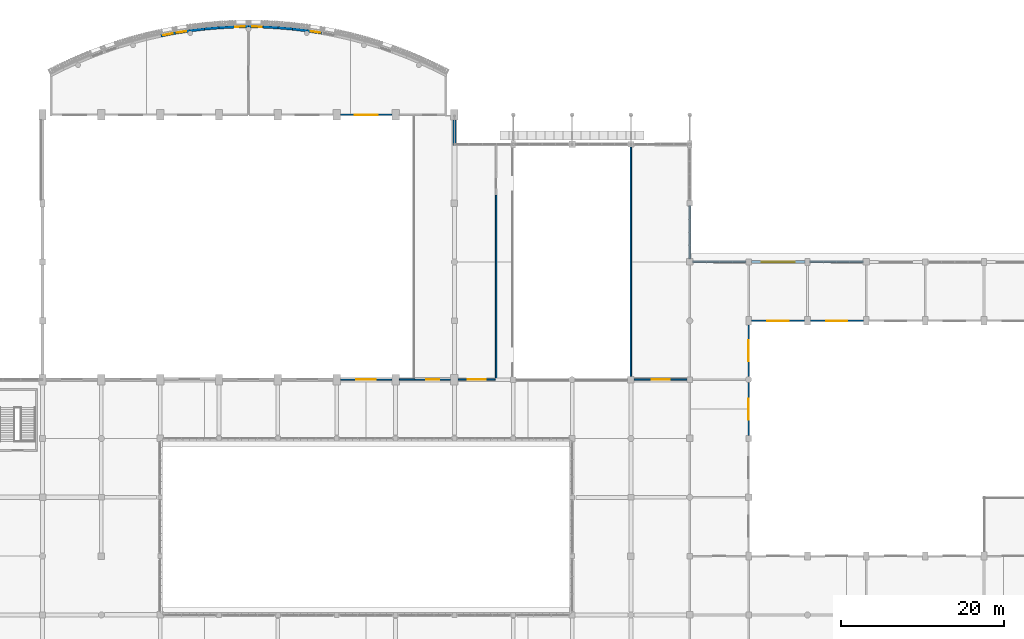
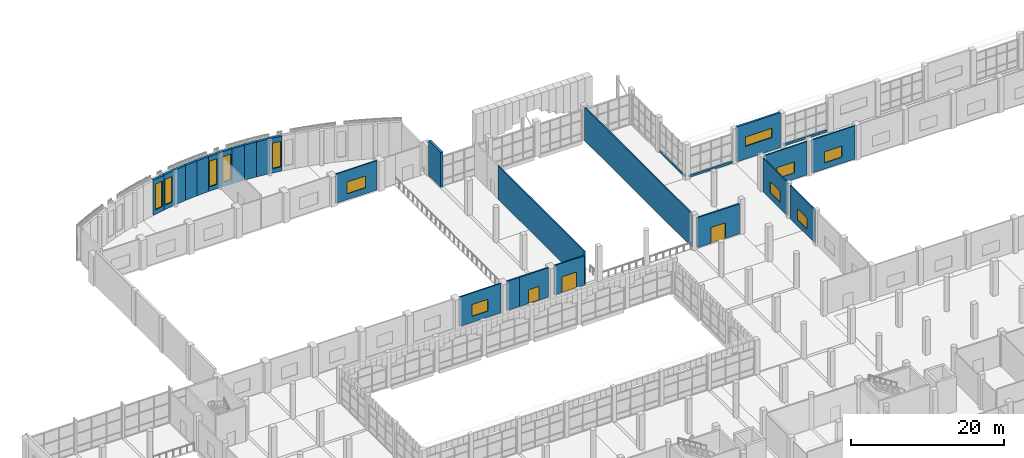
# One storey, part 57 of 80: 28 walls, 12 windows, 3 doors, 15 openings.
"""IFC4 building model written with IfcOpenShell, lengths in metres."""

from ifc_helpers import new_model, si_unit, direction, frame, frame_2d, origin, place, context, subcontext, project, spatial, polyline, rectangle, outline, extrude, material, layer, layer_set, type_object, element, fill, save


model = new_model("IFC4")

# Units and contexts
model_context = context("Model", 3, precision=1e-05, world=origin(), true_north=direction((0.0, 1.0)))
body_context = subcontext(model_context, "Body", "Model", "MODEL_VIEW")
ifc_project = project(units=[si_unit("LENGTHUNIT", "METRE"), si_unit("AREAUNIT", "SQUARE_METRE"), si_unit("VOLUMEUNIT", "CUBIC_METRE"), si_unit("PLANEANGLEUNIT", "RADIAN"), si_unit("MASSUNIT", "GRAM", prefix="KILO")], contexts=[model_context])

# Site, building, storey
site_placement = place(None, origin())
site = spatial("IfcSite", under=ifc_project, at=site_placement, CompositionType="ELEMENT")
building_placement = place(site_placement, origin())
building = spatial("IfcBuilding", under=site, at=building_placement, Name="Sardonyx Promenade Sports Hall", CompositionType="ELEMENT")
storey_placement = place(building_placement, frame((0.0, 0.0, 5.60009765625)))
storey = spatial("IfcBuildingStorey", under=building, at=storey_placement, Name="L01", CompositionType="ELEMENT", Elevation=5.60009765625)

# Wall, opening, window
ifc_material_1 = material(Name="Concrete C40/50", Category="concrete")
ifc_layer_1 = layer(ifc_material_1, 0.340087890625)
ifc_layer_set_1 = layer_set([ifc_layer_1], Name="Wall_Bow_Arc_340")
wall_type_1 = type_object("IfcWallType", Name="Wall_Bow_Arc_340", PredefinedType="SOLIDWALL", material=ifc_layer_set_1)
wall_1_placement = place(storey_placement, frame((43.27685546875, 114.082275390625, 0.0), z_axis=(0.0, 0.0, 1.0), x_axis=(0.981913462005, 0.189330275271, 0.0)))
wall_1 = element("IfcWall", 1, at=wall_1_placement, inside=storey, type_object=wall_type_1, Name="Bowed promenade wall EW07 L01 CH09", PredefinedType="SOLIDWALL", context=body_context, shape_type="SweptSolid", body=[
    extrude(outline(polyline([(0.002943, -0.17), (1.797057, -0.17), (1.802942, 0.17), (-0.002943, 0.17), (0.002943, -0.17)])), origin(), (0.0, 0.0, 1.0), 5.599853515625),
])
opening_1_placement = place(wall_1_placement, frame((0.31005859375, 0.0, 0.699951171875)))
opening_1 = element("IfcOpeningElement", 2, at=opening_1_placement, cuts=wall_1, Name="Opening W09", PredefinedType="OPENING", context=body_context, shape_type="SweptSolid", body=[
    extrude(rectangle(XDim=1.179931640625, YDim=4.10009765625, at=frame_2d((0.58984375, 2.050048828125))), frame((0.0, 0.18, 0.0), z_axis=(0.0, -1.0, 0.0), x_axis=(1.0, 0.0, 0.0)), (0.0, 0.0, 1.0), 0.36),
])
ifc_material_2 = material(Name="Double-glazed solar low-E aluminium window", Category="aluminium")
window_type_1 = type_object("IfcWindowType", Name="Win_Bow_Daylight", PartitioningType="SINGLE_PANEL", PredefinedType="WINDOW", material=ifc_material_2)
window_1_placement = place(opening_1_placement, origin())
window_1 = element("IfcWindow", 3, at=window_1_placement, inside=storey, type_object=window_type_1, Name="Harbour daylight bay window W09 L01 CH09", OverallHeight=4.10009765625, OverallWidth=1.179931640625, PartitioningType="SINGLE_PANEL", PredefinedType="WINDOW", context=body_context, shape_type="SweptSolid", body=[
    extrude(rectangle(XDim=1.179931640625, YDim=4.10009765625, at=frame_2d((0.58984375, 2.050048828125))), frame((0.0, 0.030029296875, 0.0), z_axis=(0.0, -1.0, 0.0), x_axis=(1.0, 0.0, 0.0)), (0.0, 0.0, 1.0), 0.06005859375),
])
fill(opening_1, window_1)

wall_2_placement = place(storey_placement, frame((45.04443359375, 114.423095703125, 0.0), z_axis=(0.0, 0.0, 1.0), x_axis=(0.987886929918, 0.155175428783, 0.0)))
wall_2 = element("IfcWall", 4, at=wall_2_placement, inside=storey, type_object=wall_type_1, Name="Bowed promenade wall EW07 L01 CH10", PredefinedType="SOLIDWALL", context=body_context, shape_type="SweptSolid", body=[
    extrude(outline(polyline([(0.002943, -0.17), (1.797058, -0.17), (1.802943, 0.17), (-0.002943, 0.17), (0.002943, -0.17)])), origin(), (0.0, 0.0, 1.0), 5.599853515625),
])
opening_2_placement = place(wall_2_placement, frame((0.159912109375, 0.0, 0.699951171875)))
opening_2 = element("IfcOpeningElement", 5, at=opening_2_placement, cuts=wall_2, Name="Opening W09", PredefinedType="OPENING", context=body_context, shape_type="SweptSolid", body=[
    extrude(rectangle(XDim=1.179931640625, YDim=4.10009765625, at=frame_2d((0.58984375, 2.050048828125))), frame((0.0, 0.18, 0.0), z_axis=(0.0, -1.0, 0.0), x_axis=(1.0, 0.0, 0.0)), (0.0, 0.0, 1.0), 0.36),
])
window_2_placement = place(opening_2_placement, origin())
window_2 = element("IfcWindow", 6, at=window_2_placement, inside=storey, type_object=window_type_1, Name="Harbour daylight bay window W09 L01 CH10", OverallHeight=4.10009765625, OverallWidth=1.179931640625, PartitioningType="SINGLE_PANEL", PredefinedType="WINDOW", context=body_context, shape_type="SweptSolid", body=[
    extrude(rectangle(XDim=1.179931640625, YDim=4.10009765625, at=frame_2d((0.58984375, 2.050048828125))), frame((0.0, 0.030029296875, 0.0), z_axis=(0.0, -1.0, 0.0), x_axis=(1.0, 0.0, 0.0)), (0.0, 0.0, 1.0), 0.06005859375),
])
fill(opening_2, window_2)

# Walls
wall_3_placement = place(storey_placement, frame((46.822509765625, 114.702392578125, 0.0), z_axis=(0.0, 0.0, 1.0), x_axis=(0.992671296073, 0.120845761006, 0.0)))
element("IfcWall", 7, at=wall_3_placement, inside=storey, type_object=wall_type_1, Name="Bowed promenade wall EW07 L01 CH11", PredefinedType="SOLIDWALL", context=body_context, shape_type="SweptSolid", body=[
    extrude(outline(polyline([(0.002943, -0.17), (1.797057, -0.17), (1.802942, 0.17), (-0.002943, 0.17), (0.002943, -0.17)])), origin(), (0.0, 0.0, 1.0), 5.599853515625),
])
wall_4_placement = place(storey_placement, frame((48.609375, 114.919921875, 0.0), z_axis=(0.0, 0.0, 1.0), x_axis=(0.996260411494, 0.086401345422, 0.0)))
element("IfcWall", 8, at=wall_4_placement, inside=storey, type_object=wall_type_1, Name="Bowed promenade wall EW07 L01 CH12", PredefinedType="SOLIDWALL", context=body_context, shape_type="SweptSolid", body=[
    extrude(outline(polyline([(0.002943, -0.17), (1.797058, -0.17), (1.802943, 0.17), (-0.002943, 0.17), (0.002943, -0.17)])), origin(), (0.0, 0.0, 1.0), 5.599853515625),
])
wall_5_placement = place(storey_placement, frame((50.402587890625, 115.075439453125, 0.0), z_axis=(0.0, 0.0, 1.0), x_axis=(0.998649863362, 0.051946611119, 0.0)))
element("IfcWall", 9, at=wall_5_placement, inside=storey, type_object=wall_type_1, Name="Bowed promenade wall EW07 L01 CH13", PredefinedType="SOLIDWALL", context=body_context, shape_type="SweptSolid", body=[
    extrude(outline(polyline([(0.002943, -0.17), (1.797057, -0.17), (1.802943, 0.17), (-0.002943, 0.17), (0.002943, -0.17)])), origin(), (0.0, 0.0, 1.0), 5.599853515625),
])

# Wall, opening, window
wall_6_placement = place(storey_placement, frame((52.2001953125, 115.1689453125, 0.0), z_axis=(0.0, 0.0, 1.0), x_axis=(0.999851642284, 0.017224790907, 0.0)))
wall_6 = element("IfcWall", 10, at=wall_6_placement, inside=storey, type_object=wall_type_1, Name="Bowed promenade wall EW07 L01 CH14", PredefinedType="SOLIDWALL", context=body_context, shape_type="SweptSolid", body=[
    extrude(outline(polyline([(0.002943, -0.17), (1.797057, -0.17), (1.802942, 0.17), (-0.002943, 0.17), (0.002943, -0.17)])), origin(), (0.0, 0.0, 1.0), 5.599853515625),
])
opening_3_placement = place(wall_6_placement, frame((0.159912109375, 0.0, 0.699951171875)))
opening_3 = element("IfcOpeningElement", 11, at=opening_3_placement, cuts=wall_6, Name="Opening W09", PredefinedType="OPENING", context=body_context, shape_type="SweptSolid", body=[
    extrude(rectangle(XDim=1.179931640625, YDim=4.10009765625, at=frame_2d((0.58984375, 2.050048828125))), frame((0.0, 0.18, 0.0), z_axis=(0.0, -1.0, 0.0), x_axis=(1.0, 0.0, 0.0)), (0.0, 0.0, 1.0), 0.36),
])
window_3_placement = place(opening_3_placement, origin())
window_3 = element("IfcWindow", 12, at=window_3_placement, inside=storey, type_object=window_type_1, Name="Harbour daylight bay window W09 L01 CH14", OverallHeight=4.10009765625, OverallWidth=1.179931640625, PartitioningType="SINGLE_PANEL", PredefinedType="WINDOW", context=body_context, shape_type="SweptSolid", body=[
    extrude(rectangle(XDim=1.179931640625, YDim=4.10009765625, at=frame_2d((0.58984375, 2.050048828125))), frame((0.0, 0.030029296875, 0.0), z_axis=(0.0, -1.0, 0.0), x_axis=(1.0, 0.0, 0.0)), (0.0, 0.0, 1.0), 0.06005859375),
])
fill(opening_3, window_3)

wall_7_placement = place(storey_placement, frame((54.0, 115.199951171875, 0.0), z_axis=(0.0, 0.0, 1.0), x_axis=(0.999851642284, -0.017224790907, 0.0)))
wall_7 = element("IfcWall", 13, at=wall_7_placement, inside=storey, type_object=wall_type_1, Name="Bowed promenade wall EW07 L01 CH15", PredefinedType="SOLIDWALL", context=body_context, shape_type="SweptSolid", body=[
    extrude(outline(polyline([(0.002943, -0.17), (1.797057, -0.17), (1.802942, 0.17), (-0.002943, 0.17), (0.002943, -0.17)])), origin(), (0.0, 0.0, 1.0), 5.599853515625),
])
opening_4_placement = place(wall_7_placement, frame((0.4599609375, 0.0, 0.699951171875)))
opening_4 = element("IfcOpeningElement", 14, at=opening_4_placement, cuts=wall_7, Name="Opening W09", PredefinedType="OPENING", context=body_context, shape_type="SweptSolid", body=[
    extrude(rectangle(XDim=1.179931640625, YDim=4.10009765625, at=frame_2d((0.58984375, 2.050048828125))), frame((0.0, 0.18, 0.0), z_axis=(0.0, -1.0, 0.0), x_axis=(1.0, 0.0, 0.0)), (0.0, 0.0, 1.0), 0.36),
])
window_4_placement = place(opening_4_placement, origin())
window_4 = element("IfcWindow", 15, at=window_4_placement, inside=storey, type_object=window_type_1, Name="Harbour daylight bay window W09 L01 CH15", OverallHeight=4.10009765625, OverallWidth=1.179931640625, PartitioningType="SINGLE_PANEL", PredefinedType="WINDOW", context=body_context, shape_type="SweptSolid", body=[
    extrude(rectangle(XDim=1.179931640625, YDim=4.10009765625, at=frame_2d((0.58984375, 2.050048828125))), frame((0.0, 0.030029296875, 0.0), z_axis=(0.0, -1.0, 0.0), x_axis=(1.0, 0.0, 0.0)), (0.0, 0.0, 1.0), 0.06005859375),
])
fill(opening_4, window_4)

# Walls
wall_8_placement = place(storey_placement, frame((55.7998046875, 115.1689453125, 0.0), z_axis=(0.0, 0.0, 1.0), x_axis=(0.998649863362, -0.051946611119, 0.0)))
element("IfcWall", 16, at=wall_8_placement, inside=storey, type_object=wall_type_1, Name="Bowed promenade wall EW07 L01 CH16", PredefinedType="SOLIDWALL", context=body_context, shape_type="SweptSolid", body=[
    extrude(outline(polyline([(0.002943, -0.17), (1.797057, -0.17), (1.802943, 0.17), (-0.002943, 0.17), (0.002943, -0.17)])), origin(), (0.0, 0.0, 1.0), 5.599853515625),
])
wall_9_placement = place(storey_placement, frame((57.597412109375, 115.075439453125, 0.0), z_axis=(0.0, 0.0, 1.0), x_axis=(0.996260411494, -0.086401345422, 0.0)))
element("IfcWall", 17, at=wall_9_placement, inside=storey, type_object=wall_type_1, Name="Bowed promenade wall EW07 L01 CH17", PredefinedType="SOLIDWALL", context=body_context, shape_type="SweptSolid", body=[
    extrude(outline(polyline([(0.002943, -0.17), (1.797058, -0.17), (1.802943, 0.17), (-0.002943, 0.17), (0.002943, -0.17)])), origin(), (0.0, 0.0, 1.0), 5.599853515625),
])
wall_10_placement = place(storey_placement, frame((59.390625, 114.919921875, 0.0), z_axis=(0.0, 0.0, 1.0), x_axis=(0.992671296073, -0.120845761006, 0.0)))
element("IfcWall", 18, at=wall_10_placement, inside=storey, type_object=wall_type_1, Name="Bowed promenade wall EW07 L01 CH18", PredefinedType="SOLIDWALL", context=body_context, shape_type="SweptSolid", body=[
    extrude(outline(polyline([(0.002943, -0.17), (1.797057, -0.17), (1.802942, 0.17), (-0.002943, 0.17), (0.002943, -0.17)])), origin(), (0.0, 0.0, 1.0), 5.599853515625),
])

# Wall, opening, window
wall_11_placement = place(storey_placement, frame((61.177490234375, 114.702392578125, 0.0), z_axis=(0.0, 0.0, 1.0), x_axis=(0.987886929918, -0.155175428783, 0.0)))
wall_11 = element("IfcWall", 19, at=wall_11_placement, inside=storey, type_object=wall_type_1, Name="Bowed promenade wall EW07 L01 CH19", PredefinedType="SOLIDWALL", context=body_context, shape_type="SweptSolid", body=[
    extrude(outline(polyline([(0.002943, -0.17), (1.797058, -0.17), (1.802943, 0.17), (-0.002943, 0.17), (0.002943, -0.17)])), origin(), (0.0, 0.0, 1.0), 5.599853515625),
])
opening_5_placement = place(wall_11_placement, frame((0.4599609375, 0.0, 0.699951171875)))
opening_5 = element("IfcOpeningElement", 20, at=opening_5_placement, cuts=wall_11, Name="Opening W09", PredefinedType="OPENING", context=body_context, shape_type="SweptSolid", body=[
    extrude(rectangle(XDim=1.179931640625, YDim=4.10009765625, at=frame_2d((0.58984375, 2.050048828125))), frame((0.0, 0.18, 0.0), z_axis=(0.0, -1.0, 0.0), x_axis=(1.0, 0.0, 0.0)), (0.0, 0.0, 1.0), 0.36),
])
window_5_placement = place(opening_5_placement, origin())
window_5 = element("IfcWindow", 21, at=window_5_placement, inside=storey, type_object=window_type_1, Name="Harbour daylight bay window W09 L01 CH19", OverallHeight=4.10009765625, OverallWidth=1.179931640625, PartitioningType="SINGLE_PANEL", PredefinedType="WINDOW", context=body_context, shape_type="SweptSolid", body=[
    extrude(rectangle(XDim=1.179931640625, YDim=4.10009765625, at=frame_2d((0.58984375, 2.050048828125))), frame((0.0, 0.030029296875, 0.0), z_axis=(0.0, -1.0, 0.0), x_axis=(1.0, 0.0, 0.0)), (0.0, 0.0, 1.0), 0.06005859375),
])
fill(opening_5, window_5)

ifc_material_3 = material(Name="Concrete C40/50", Category="concrete")
ifc_layer_2 = layer(ifc_material_3, 0.300048828125)
ifc_layer_set_2 = layer_set([ifc_layer_2], Name="Wall_Ext_Hall_300")
wall_type_2 = type_object("IfcWallType", Name="Wall_Ext_Hall_300", PredefinedType="SOLIDWALL", material=ifc_layer_set_2)
wall_12_placement = place(storey_placement, frame((115.534912109375, 86.39990234375, 0.0), z_axis=(0.0, 0.0, 1.0), x_axis=(1.0, 0.0, 0.0)))
wall_12 = element("IfcWall", 22, at=wall_12_placement, inside=storey, type_object=wall_type_2, Name="Exterior wall EW04 L01 #195", PredefinedType="SOLIDWALL", context=body_context, shape_type="SweptSolid", body=[
    extrude(rectangle(XDim=6.580078125, YDim=0.300048828125, at=frame_2d((3.2900390625, 0.0))), origin(), (0.0, 0.0, 1.0), 5.599853515625),
])
opening_6_placement = place(wall_12_placement, frame((1.2900390625, 0.0, 2.050048828125)))
opening_6 = element("IfcOpeningElement", 23, at=opening_6_placement, cuts=wall_12, Name="Opening W14", PredefinedType="OPENING", context=body_context, shape_type="SweptSolid", body=[
    extrude(rectangle(XDim=4.0, YDim=1.5, at=frame_2d((2.0, 0.75))), frame((0.0, 0.16, 0.0), z_axis=(0.0, -1.0, 0.0), x_axis=(1.0, 0.0, 0.0)), (0.0, 0.0, 1.0), 0.32),
])
ifc_material_4 = material(Name="Double-glazed solar low-E aluminium window", Category="aluminium")
window_type_2 = type_object("IfcWindowType", Name="Win_Clerestory_400x150", PartitioningType="DOUBLE_PANEL_VERTICAL", PredefinedType="WINDOW", material=ifc_material_4)
window_6_placement = place(opening_6_placement, origin())
window_6 = element("IfcWindow", 24, at=window_6_placement, inside=storey, type_object=window_type_2, Name="Facade window W14 L01 #76", OverallHeight=1.5, OverallWidth=4.0, PartitioningType="SINGLE_PANEL", PredefinedType="WINDOW", context=body_context, shape_type="SweptSolid", body=[
    extrude(rectangle(XDim=4.0, YDim=1.5, at=frame_2d((2.0, 0.75))), frame((0.0, 0.030029296875, 0.0), z_axis=(0.0, -1.0, 0.0), x_axis=(1.0, 0.0, 0.0)), (0.0, 0.0, 1.0), 0.06005859375),
])
fill(opening_6, window_6)

# Walls
ifc_material_5 = material(Name="Concrete C40/50", Category="concrete")
ifc_layer_3 = layer(ifc_material_5, 0.360107421875)
ifc_layer_set_3 = layer_set([ifc_layer_3], Name="Wall_Ext_Sandstone_360")
wall_type_3 = type_object("IfcWallType", Name="Wall_Ext_Sandstone_360", PredefinedType="SOLIDWALL", material=ifc_layer_set_3)
wall_13_placement = place(storey_placement, frame((79.199951171875, 103.764892578125, 0.0), z_axis=(0.0, 0.0, 1.0), x_axis=(0.0, -1.0, 0.0)))
element("IfcWall", 25, at=wall_13_placement, inside=storey, type_object=wall_type_3, Name="Exterior wall EW06 L01 #178", PredefinedType="SOLIDWALL", context=body_context, shape_type="SweptSolid", body=[
    extrude(rectangle(XDim=3.144775390625, YDim=0.360107421875, at=frame_2d((1.572265625, 0.0))), origin(), (0.0, 0.0, 1.0), 5.599853515625),
])
ifc_material_6 = material(Name="Masonry CMU 15 MPa", Category="masonry")
ifc_layer_4 = layer(ifc_material_6, 0.239990234375)
ifc_layer_set_4 = layer_set([ifc_layer_4], Name="Wall_Ext_Spandrel_240")
wall_type_4 = type_object("IfcWallType", Name="Wall_Ext_Spandrel_240", PredefinedType="SOLIDWALL", material=ifc_layer_set_4)
wall_14_placement = place(storey_placement, frame((108.0, 93.264892578125, 0.0), z_axis=(0.0, 0.0, 1.0), x_axis=(0.0, -1.0, 0.0)))
element("IfcWall", 26, at=wall_14_placement, inside=storey, type_object=wall_type_4, Name="Curtain-wall sill spandrel L01 #182", PredefinedType="SOLIDWALL", context=body_context, shape_type="SweptSolid", body=[
    extrude(rectangle(XDim=6.47998046875, YDim=0.239990234375, at=frame_2d((3.239990234375, 0.0))), origin(), (0.0, 0.0, 1.0), 0.2998046875),
])
wall_15_placement = place(storey_placement, frame((108.385009765625, 86.39990234375, 0.0), z_axis=(0.0, 0.0, 1.0), x_axis=(1.0, 0.0, 0.0)))
element("IfcWall", 27, at=wall_15_placement, inside=storey, type_object=wall_type_4, Name="Curtain-wall sill spandrel L01 #194", PredefinedType="SOLIDWALL", context=body_context, shape_type="SweptSolid", body=[
    extrude(rectangle(XDim=6.47998046875, YDim=0.239990234375, at=frame_2d((3.239990234375, 0.0))), origin(), (0.0, 0.0, 1.0), 0.349853515625),
])
wall_16_placement = place(storey_placement, frame((122.68505859375, 86.39990234375, 0.0), z_axis=(0.0, 0.0, 1.0), x_axis=(1.0, 0.0, 0.0)))
element("IfcWall", 28, at=wall_16_placement, inside=storey, type_object=wall_type_4, Name="Curtain-wall sill spandrel L01 #196", PredefinedType="SOLIDWALL", context=body_context, shape_type="SweptSolid", body=[
    extrude(rectangle(XDim=6.530029296875, YDim=0.239990234375, at=frame_2d((3.26513671875, 0.0))), origin(), (0.0, 0.0, 1.0), 0.349853515625),
])

# Wall, opening, window
ifc_material_7 = material(Name="Twin-stud acoustic gypsum partition", Category="gypsum")
ifc_layer_5 = layer(ifc_material_7, 0.169921875)
ifc_layer_set_5 = layer_set([ifc_layer_5], Name="Wall_Part_Acoust_170")
wall_type_5 = type_object("IfcWallType", Name="Wall_Part_Acoust_170", PredefinedType="PARTITIONING", material=ifc_layer_set_5)
wall_17_placement = place(storey_placement, frame((65.25, 104.39990234375, 0.0), z_axis=(0.0, 0.0, 1.0), x_axis=(1.0, 0.0, 0.0)))
wall_17 = element("IfcWall", 29, at=wall_17_placement, inside=storey, type_object=wall_type_5, Name="Interior partition PW06 L01 #391", PredefinedType="PARTITIONING", context=body_context, shape_type="SweptSolid", body=[
    extrude(rectangle(XDim=6.300048828125, YDim=0.169921875, at=frame_2d((3.14990234375, 0.0))), origin(), (0.0, 0.0, 1.0), 4.679931640625),
])
opening_7_placement = place(wall_17_placement, frame((1.75, 0.0, 0.949951171875)))
opening_7 = element("IfcOpeningElement", 30, at=opening_7_placement, cuts=wall_17, Name="Opening IW06", PredefinedType="OPENING", context=body_context, shape_type="SweptSolid", body=[
    extrude(rectangle(XDim=2.800048828125, YDim=1.89990234375, at=frame_2d((1.39990234375, 0.949951171875))), frame((0.0, 0.095, 0.0), z_axis=(0.0, -1.0, 0.0), x_axis=(1.0, 0.0, 0.0)), (0.0, 0.0, 1.0), 0.19),
])
ifc_material_8 = material(Name="Acoustic laminated sports viewing glazing EI 60", Category="glass")
window_type_3 = type_object("IfcWindowType", Name="IWin_Arena_280x190", PartitioningType="DOUBLE_PANEL_VERTICAL", PredefinedType="WINDOW", material=ifc_material_8)
window_7_placement = place(opening_7_placement, origin())
window_7 = element("IfcWindow", 31, at=window_7_placement, inside=storey, type_object=window_type_3, Name="Internal viewing window IW06 L01 #23", OverallHeight=1.89990234375, OverallWidth=2.800048828125, PartitioningType="SINGLE_PANEL", PredefinedType="WINDOW", context=body_context, shape_type="SweptSolid", body=[
    extrude(rectangle(XDim=2.800048828125, YDim=1.89990234375, at=frame_2d((1.39990234375, 0.949951171875))), frame((0.0, 0.030029296875, 0.0), z_axis=(0.0, -1.0, 0.0), x_axis=(1.0, 0.0, 0.0)), (0.0, 0.0, 1.0), 0.06005859375),
])
fill(opening_7, window_7)

wall_18_placement = place(storey_placement, frame((115.550048828125, 79.199951171875, 0.0), z_axis=(0.0, 0.0, 1.0), x_axis=(1.0, 0.0, 0.0)))
wall_18 = element("IfcWall", 32, at=wall_18_placement, inside=storey, type_object=wall_type_5, Name="Interior partition PW06 L01 #472", PredefinedType="PARTITIONING", context=body_context, shape_type="SweptSolid", body=[
    extrude(rectangle(XDim=6.5, YDim=0.169921875, at=frame_2d((3.25, 0.0))), origin(), (0.0, 0.0, 1.0), 5.31982421875),
])
opening_8_placement = place(wall_18_placement, frame((1.949951171875, 0.0, 1.0)))
opening_8 = element("IfcOpeningElement", 33, at=opening_8_placement, cuts=wall_18, Name="Opening IW07", PredefinedType="OPENING", context=body_context, shape_type="SweptSolid", body=[
    extrude(rectangle(XDim=2.60009765625, YDim=1.75, at=frame_2d((1.300048828125, 0.875))), frame((0.0, 0.095, 0.0), z_axis=(0.0, -1.0, 0.0), x_axis=(1.0, 0.0, 0.0)), (0.0, 0.0, 1.0), 0.19),
])
ifc_material_9 = material(Name="Acoustic laminated sports viewing glazing EI 60", Category="glass")
window_type_4 = type_object("IfcWindowType", Name="IWin_Prac_260x175", PartitioningType="DOUBLE_PANEL_VERTICAL", PredefinedType="WINDOW", material=ifc_material_9)
window_8_placement = place(opening_8_placement, origin())
window_8 = element("IfcWindow", 34, at=window_8_placement, inside=storey, type_object=window_type_4, Name="Internal viewing window IW07 L01 #60", OverallHeight=1.75, OverallWidth=2.60009765625, PartitioningType="SINGLE_PANEL", PredefinedType="WINDOW", context=body_context, shape_type="SweptSolid", body=[
    extrude(rectangle(XDim=2.60009765625, YDim=1.75, at=frame_2d((1.300048828125, 0.875))), frame((0.0, 0.030029296875, 0.0), z_axis=(0.0, -1.0, 0.0), x_axis=(1.0, 0.0, 0.0)), (0.0, 0.0, 1.0), 0.06005859375),
])
fill(opening_8, window_8)

wall_19_placement = place(storey_placement, frame((122.75, 79.199951171875, 0.0), z_axis=(0.0, 0.0, 1.0), x_axis=(1.0, 0.0, 0.0)))
wall_19 = element("IfcWall", 35, at=wall_19_placement, inside=storey, type_object=wall_type_5, Name="Interior partition PW06 L01 #474", PredefinedType="PARTITIONING", context=body_context, shape_type="SweptSolid", body=[
    extrude(rectangle(XDim=6.5, YDim=0.169921875, at=frame_2d((3.25, 0.0))), origin(), (0.0, 0.0, 1.0), 5.31982421875),
])
opening_9_placement = place(wall_19_placement, frame((1.949951171875, 0.0, 1.0)))
opening_9 = element("IfcOpeningElement", 36, at=opening_9_placement, cuts=wall_19, Name="Opening IW07", PredefinedType="OPENING", context=body_context, shape_type="SweptSolid", body=[
    extrude(rectangle(XDim=2.60009765625, YDim=1.75, at=frame_2d((1.300048828125, 0.875))), frame((0.0, 0.095, 0.0), z_axis=(0.0, -1.0, 0.0), x_axis=(1.0, 0.0, 0.0)), (0.0, 0.0, 1.0), 0.19),
])
window_9_placement = place(opening_9_placement, origin())
window_9 = element("IfcWindow", 37, at=window_9_placement, inside=storey, type_object=window_type_4, Name="Internal viewing window IW07 L01 #62", OverallHeight=1.75, OverallWidth=2.60009765625, PartitioningType="SINGLE_PANEL", PredefinedType="WINDOW", context=body_context, shape_type="SweptSolid", body=[
    extrude(rectangle(XDim=2.60009765625, YDim=1.75, at=frame_2d((1.300048828125, 0.875))), frame((0.0, 0.030029296875, 0.0), z_axis=(0.0, -1.0, 0.0), x_axis=(1.0, 0.0, 0.0)), (0.0, 0.0, 1.0), 0.06005859375),
])
fill(opening_9, window_9)

# Walls
ifc_material_10 = material(Name="Masonry CMU 15 MPa", Category="masonry")
ifc_layer_6 = layer(ifc_material_10, 0.18994140625)
ifc_layer_set_6 = layer_set([ifc_layer_6], Name="Wall_Part_Block_190")
wall_type_6 = type_object("IfcWallType", Name="Wall_Part_Block_190", PredefinedType="PARTITIONING", material=ifc_layer_set_6)
wall_20_placement = place(storey_placement, frame((84.300048828125, 72.0, 0.0), z_axis=(0.0, 0.0, 1.0), x_axis=(0.0, 1.0, 0.0)))
element("IfcWall", 38, at=wall_20_placement, inside=storey, type_object=wall_type_6, Name="Interior partition PW03 L01 #364", PredefinedType="PARTITIONING", context=body_context, shape_type="SweptSolid", body=[
    extrude(rectangle(XDim=22.60009765625, YDim=0.18994140625, at=frame_2d((11.300048828125, 0.0))), origin(), (0.0, 0.0, 1.0), 5.31982421875),
])
wall_21_placement = place(storey_placement, frame((100.800048828125, 72.39990234375, 0.0), z_axis=(0.0, 0.0, 1.0), x_axis=(0.0, 1.0, 0.0)))
element("IfcWall", 39, at=wall_21_placement, inside=storey, type_object=wall_type_6, Name="Interior partition PW03 L01 #367", PredefinedType="PARTITIONING", context=body_context, shape_type="SweptSolid", body=[
    extrude(rectangle(XDim=28.050048828125, YDim=0.18994140625, at=frame_2d((14.02490234375, 0.0))), origin(), (0.0, 0.0, 1.0), 5.31982421875),
])

# Wall, opening, window
wall_22_placement = place(storey_placement, frame((115.199951171875, 65.14990234375, 0.0), z_axis=(0.0, 0.0, 1.0), x_axis=(0.0, 1.0, 0.0)))
wall_22 = element("IfcWall", 40, at=wall_22_placement, inside=storey, type_object=wall_type_6, Name="Interior partition PW03 L01 #467", PredefinedType="PARTITIONING", context=body_context, shape_type="SweptSolid", body=[
    extrude(rectangle(XDim=6.47509765625, YDim=0.18994140625, at=frame_2d((3.237548828125, 0.0))), origin(), (0.0, 0.0, 1.0), 5.31982421875),
])
opening_10_placement = place(wall_22_placement, frame((1.9375, 0.0, 1.0)))
opening_10 = element("IfcOpeningElement", 41, at=opening_10_placement, cuts=wall_22, Name="Opening IW07", PredefinedType="OPENING", context=body_context, shape_type="SweptSolid", body=[
    extrude(rectangle(XDim=2.60009765625, YDim=1.75, at=frame_2d((1.300048828125, 0.875))), frame((0.0, 0.105, 0.0), z_axis=(0.0, -1.0, 0.0), x_axis=(1.0, 0.0, 0.0)), (0.0, 0.0, 1.0), 0.21),
])
window_10_placement = place(opening_10_placement, origin())
window_10 = element("IfcWindow", 42, at=window_10_placement, inside=storey, type_object=window_type_4, Name="Internal viewing window IW07 L01 #55", OverallHeight=1.75, OverallWidth=2.60009765625, PartitioningType="SINGLE_PANEL", PredefinedType="WINDOW", context=body_context, shape_type="SweptSolid", body=[
    extrude(rectangle(XDim=2.60009765625, YDim=1.75, at=frame_2d((1.300048828125, 0.875))), frame((0.0, 0.030029296875, 0.0), z_axis=(0.0, -1.0, 0.0), x_axis=(1.0, 0.0, 0.0)), (0.0, 0.0, 1.0), 0.06005859375),
])
fill(opening_10, window_10)

wall_23_placement = place(storey_placement, frame((115.199951171875, 72.375, 0.0), z_axis=(0.0, 0.0, 1.0), x_axis=(0.0, 1.0, 0.0)))
wall_23 = element("IfcWall", 43, at=wall_23_placement, inside=storey, type_object=wall_type_6, Name="Interior partition PW03 L01 #469", PredefinedType="PARTITIONING", context=body_context, shape_type="SweptSolid", body=[
    extrude(rectangle(XDim=6.324951171875, YDim=0.18994140625, at=frame_2d((3.16259765625, 0.0))), origin(), (0.0, 0.0, 1.0), 5.31982421875),
])
opening_11_placement = place(wall_23_placement, frame((1.862548828125, 0.0, 1.0)))
opening_11 = element("IfcOpeningElement", 44, at=opening_11_placement, cuts=wall_23, Name="Opening IW07", PredefinedType="OPENING", context=body_context, shape_type="SweptSolid", body=[
    extrude(rectangle(XDim=2.60009765625, YDim=1.75, at=frame_2d((1.300048828125, 0.875))), frame((0.0, 0.105, 0.0), z_axis=(0.0, -1.0, 0.0), x_axis=(1.0, 0.0, 0.0)), (0.0, 0.0, 1.0), 0.21),
])
window_11_placement = place(opening_11_placement, origin())
window_11 = element("IfcWindow", 45, at=window_11_placement, inside=storey, type_object=window_type_4, Name="Internal viewing window IW07 L01 #57", OverallHeight=1.75, OverallWidth=2.60009765625, PartitioningType="SINGLE_PANEL", PredefinedType="WINDOW", context=body_context, shape_type="SweptSolid", body=[
    extrude(rectangle(XDim=2.60009765625, YDim=1.75, at=frame_2d((1.300048828125, 0.875))), frame((0.0, 0.030029296875, 0.0), z_axis=(0.0, -1.0, 0.0), x_axis=(1.0, 0.0, 0.0)), (0.0, 0.0, 1.0), 0.06005859375),
])
fill(opening_11, window_11)

ifc_material_11 = material(Name="Masonry CMU 15 MPa", Category="masonry")
ifc_layer_7 = layer(ifc_material_11, 0.2099609375)
ifc_layer_set_7 = layer_set([ifc_layer_7], Name="Wall_Part_Block_210")
wall_type_7 = type_object("IfcWallType", Name="Wall_Part_Block_210", PredefinedType="PARTITIONING", material=ifc_layer_set_7)
wall_24_placement = place(storey_placement, frame((65.25, 72.0, 0.0), z_axis=(0.0, 0.0, 1.0), x_axis=(1.0, 0.0, 0.0)))
wall_24 = element("IfcWall", 46, at=wall_24_placement, inside=storey, type_object=wall_type_7, Name="Interior partition PW07 L01 #399", PredefinedType="PARTITIONING", context=body_context, shape_type="SweptSolid", body=[
    extrude(rectangle(XDim=6.300048828125, YDim=0.2099609375, at=frame_2d((3.14990234375, 0.0))), origin(), (0.0, 0.0, 1.0), 4.679931640625),
])
opening_12_placement = place(wall_24_placement, frame((1.949951171875, 0.0, 0.949951171875)))
opening_12 = element("IfcOpeningElement", 47, at=opening_12_placement, cuts=wall_24, Name="Opening IW03", PredefinedType="OPENING", context=body_context, shape_type="SweptSolid", body=[
    extrude(rectangle(XDim=2.39990234375, YDim=1.89990234375, at=frame_2d((1.199951171875, 0.949951171875))), frame((0.0, 0.115, 0.0), z_axis=(0.0, -1.0, 0.0), x_axis=(1.0, 0.0, 0.0)), (0.0, 0.0, 1.0), 0.23),
])
ifc_material_12 = material(Name="Acoustic laminated sports viewing glazing EI 60", Category="glass")
window_type_5 = type_object("IfcWindowType", Name="IWin_Arena_240x190", PartitioningType="DOUBLE_PANEL_VERTICAL", PredefinedType="WINDOW", material=ifc_material_12)
window_12_placement = place(opening_12_placement, origin())
window_12 = element("IfcWindow", 48, at=window_12_placement, inside=storey, type_object=window_type_5, Name="Internal viewing window IW03 L01 #29", OverallHeight=1.89990234375, OverallWidth=2.39990234375, PartitioningType="SINGLE_PANEL", PredefinedType="WINDOW", context=body_context, shape_type="SweptSolid", body=[
    extrude(rectangle(XDim=2.39990234375, YDim=1.89990234375, at=frame_2d((1.199951171875, 0.949951171875))), frame((0.0, 0.030029296875, 0.0), z_axis=(0.0, -1.0, 0.0), x_axis=(1.0, 0.0, 0.0)), (0.0, 0.0, 1.0), 0.06005859375),
])
fill(opening_12, window_12)

# Wall
wall_25_placement = place(storey_placement, frame((72.449951171875, 72.0, 0.0), z_axis=(0.0, 0.0, 1.0), x_axis=(1.0, 0.0, 0.0)))
element("IfcWall", 49, at=wall_25_placement, inside=storey, type_object=wall_type_7, Name="Interior partition PW07 L01 #400", PredefinedType="PARTITIONING", context=body_context, shape_type="SweptSolid", body=[
    extrude(rectangle(XDim=1.900146484375, YDim=0.2099609375, at=frame_2d((0.9501953125, 0.0))), origin(), (0.0, 0.0, 1.0), 4.679931640625),
])

# Wall, opening, door
wall_26_placement = place(storey_placement, frame((74.360107421875, 72.0, 0.0), z_axis=(0.0, 0.0, 1.0), x_axis=(1.0, 0.0, 0.0)))
wall_26 = element("IfcWall", 50, at=wall_26_placement, inside=storey, type_object=wall_type_7, Name="Interior partition PW07 L01 #401", PredefinedType="PARTITIONING", context=body_context, shape_type="SweptSolid", body=[
    extrude(rectangle(XDim=4.389892578125, YDim=0.2099609375, at=frame_2d((2.19482421875, 0.0))), origin(), (0.0, 0.0, 1.0), 4.679931640625),
])
opening_13_placement = place(wall_26_placement, frame((1.39501953125, 0.0, 0.0)))
opening_13 = element("IfcOpeningElement", 51, at=opening_13_placement, cuts=wall_26, Name="Opening ID09", PredefinedType="OPENING", context=body_context, shape_type="SweptSolid", body=[
    extrude(rectangle(XDim=1.60009765625, YDim=2.199951171875, at=frame_2d((0.800048828125, 1.10009765625))), frame((0.0, 0.115, 0.0), z_axis=(0.0, -1.0, 0.0), x_axis=(1.0, 0.0, 0.0)), (0.0, 0.0, 1.0), 0.23),
])
ifc_material_13 = material(Name="Double hardwood vision-panel fire door FD60S", Category="wood")
door_type_1 = type_object("IfcDoorType", Name="Door_Lobby_FD60_160x220", OperationType="NOTDEFINED", PredefinedType="DOOR", material=ifc_material_13)
door_1_placement = place(opening_13_placement, origin())
door_1 = element("IfcDoor", 52, at=door_1_placement, inside=storey, type_object=door_type_1, Name="Interior door D01-127", OperationType="DOUBLE_DOOR_SINGLE_SWING", OverallHeight=2.199951171875, OverallWidth=1.60009765625, PredefinedType="DOOR", context=body_context, shape_type="SweptSolid", body=[
    extrude(rectangle(XDim=1.60009765625, YDim=2.199951171875, at=frame_2d((0.800048828125, 1.10009765625))), frame((0.0, 0.02490234375, 0.0), z_axis=(0.0, -1.0, 0.0), x_axis=(1.0, 0.0, 0.0)), (0.0, 0.0, 1.0), 0.050048828125),
])
fill(opening_13, door_1)

wall_27_placement = place(storey_placement, frame((79.64990234375, 72.0, 0.0), z_axis=(0.0, 0.0, 1.0), x_axis=(1.0, 0.0, 0.0)))
wall_27 = element("IfcWall", 53, at=wall_27_placement, inside=storey, type_object=wall_type_7, Name="Interior partition PW07 L01 #402", PredefinedType="PARTITIONING", context=body_context, shape_type="SweptSolid", body=[
    extrude(rectangle(XDim=4.545166015625, YDim=0.2099609375, at=frame_2d((2.2724609375, 0.0))), origin(), (0.0, 0.0, 1.0), 4.679931640625),
])
opening_14_placement = place(wall_27_placement, frame((1.172607421875, 0.0, 0.0)))
opening_14 = element("IfcOpeningElement", 54, at=opening_14_placement, cuts=wall_27, Name="Opening ID04", PredefinedType="OPENING", context=body_context, shape_type="SweptSolid", body=[
    extrude(rectangle(XDim=2.199951171875, YDim=2.5, at=frame_2d((1.10009765625, 1.25))), frame((0.0, 0.115, 0.0), z_axis=(0.0, -1.0, 0.0), x_axis=(1.0, 0.0, 0.0)), (0.0, 0.0, 1.0), 0.23),
])
ifc_material_14 = material(Name="Double acoustic sports hall fire door FD60S", Category="wood")
door_type_2 = type_object("IfcDoorType", Name="Door_Hall_FD60_220x250", OperationType="NOTDEFINED", PredefinedType="DOOR", material=ifc_material_14)
door_2_placement = place(opening_14_placement, origin())
door_2 = element("IfcDoor", 55, at=door_2_placement, inside=storey, type_object=door_type_2, Name="Interior door D01-128", OperationType="DOUBLE_DOOR_SINGLE_SWING", OverallHeight=2.5, OverallWidth=2.199951171875, PredefinedType="DOOR", context=body_context, shape_type="SweptSolid", body=[
    extrude(rectangle(XDim=2.199951171875, YDim=2.5, at=frame_2d((1.10009765625, 1.25))), frame((0.0, 0.02490234375, 0.0), z_axis=(0.0, -1.0, 0.0), x_axis=(1.0, 0.0, 0.0)), (0.0, 0.0, 1.0), 0.050048828125),
])
fill(opening_14, door_2)

wall_28_placement = place(storey_placement, frame((101.199951171875, 72.0, 0.0), z_axis=(0.0, 0.0, 1.0), x_axis=(1.0, 0.0, 0.0)))
wall_28 = element("IfcWall", 56, at=wall_28_placement, inside=storey, type_object=wall_type_7, Name="Interior partition PW07 L01 #403", PredefinedType="PARTITIONING", context=body_context, shape_type="SweptSolid", body=[
    extrude(rectangle(XDim=6.449951171875, YDim=0.2099609375, at=frame_2d((3.22509765625, 0.0))), origin(), (0.0, 0.0, 1.0), 4.77978515625),
])
opening_15_placement = place(wall_28_placement, frame((2.125, 0.0, 0.0)))
opening_15 = element("IfcOpeningElement", 57, at=opening_15_placement, cuts=wall_28, Name="Opening ID04", PredefinedType="OPENING", context=body_context, shape_type="SweptSolid", body=[
    extrude(rectangle(XDim=2.199951171875, YDim=2.5, at=frame_2d((1.10009765625, 1.25))), frame((0.0, 0.115, 0.0), z_axis=(0.0, -1.0, 0.0), x_axis=(1.0, 0.0, 0.0)), (0.0, 0.0, 1.0), 0.23),
])
door_3_placement = place(opening_15_placement, origin())
door_3 = element("IfcDoor", 58, at=door_3_placement, inside=storey, type_object=door_type_2, Name="Interior door D01-129", OperationType="DOUBLE_DOOR_SINGLE_SWING", OverallHeight=2.5, OverallWidth=2.199951171875, PredefinedType="DOOR", context=body_context, shape_type="SweptSolid", body=[
    extrude(rectangle(XDim=2.199951171875, YDim=2.5, at=frame_2d((1.10009765625, 1.25))), frame((0.0, 0.02490234375, 0.0), z_axis=(0.0, -1.0, 0.0), x_axis=(1.0, 0.0, 0.0)), (0.0, 0.0, 1.0), 0.050048828125),
])
fill(opening_15, door_3)

save(model, "model.ifc")
